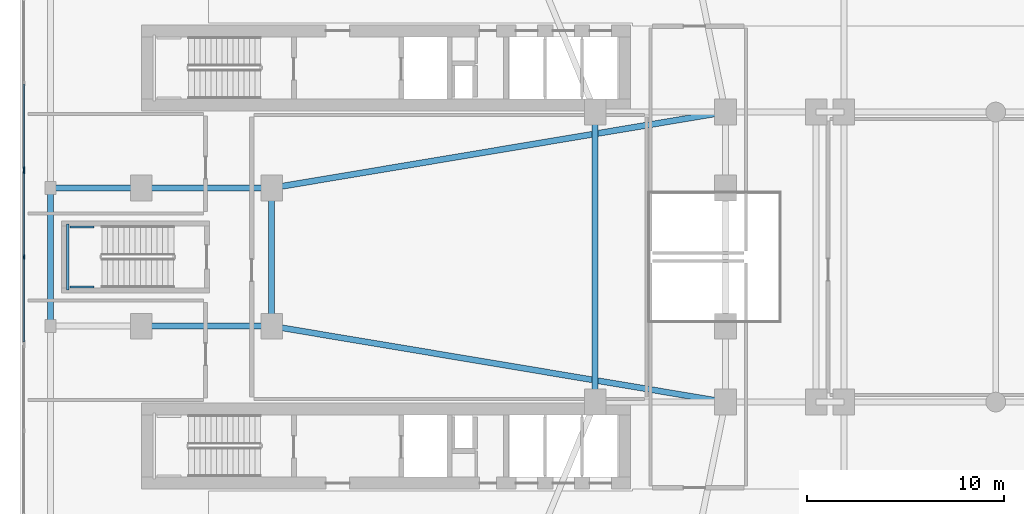
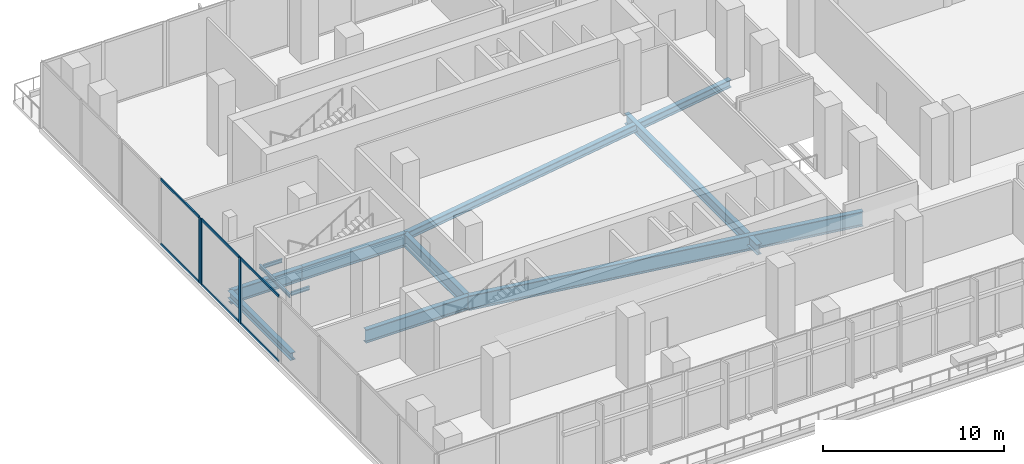
# One storey, part 3 of 30: 11 beams, 9 members, 2 elements without a shape of their own.
"""IFC4 building model written with IfcOpenShell, lengths in metres."""

import ifcopenshell
import ifcopenshell.guid

model = None  # the IFC model being written
_history = None  # IfcOwnerHistory: only IFC2X3 demands one
_inside = {}  # id of a spatial element -> (the spatial element, [elements in it])
_under = {}  # id of a project, library or spatial element -> (it, [spatial elements below it])
_declared = {}  # id of a project -> (the project, [libraries it declares])
_typed = {}  # id of a type object -> (the type object, [elements of that type])
_made_of = {}  # id of a material, layer set ... -> (it, [elements and type objects made of it])


def new_model(schema):
    """Start an empty IFC model of exactly this schema.

    Asked for "IFC4X3", IfcOpenShell would pick the latest addendum, in which some entities
    have other attributes; the version numbers below select the first issue.
    IFC2X3 requires an IfcOwnerHistory on every rooted entity: one is made here for all.
    """
    global model, _history
    if schema == "IFC4X3":
        model = ifcopenshell.file(schema_version=(4, 3, 0, 0))
    else:
        model = ifcopenshell.file(schema=schema)
    _inside.clear()
    _under.clear()
    _declared.clear()
    _typed.clear()
    _made_of.clear()
    _history = None
    if model.schema == "IFC2X3":
        org = make("IfcOrganization", Name="unknown")
        user = make(
            "IfcPersonAndOrganization",
            ThePerson=make("IfcPerson", FamilyName="unknown"),
            TheOrganization=org,
        )
        app = make(
            "IfcApplication",
            ApplicationDeveloper=org,
            Version="unknown",
            ApplicationFullName="unknown",
            ApplicationIdentifier="unknown",
        )
        _history = make(
            "IfcOwnerHistory",
            OwningUser=user,
            OwningApplication=app,
            ChangeAction="ADDED",
            CreationDate=0,
        )
    return model


def make(cls, **values):
    """One entity of the class cls with the attributes given. An attribute that is None is left unset."""
    return model.create_entity(
        cls, **{name: value for name, value in values.items() if value is not None}
    )


def rooted(cls, **values):
    """An entity with a GlobalId (a new one), such as an element, a storey or a relation."""
    return make(cls, GlobalId=ifcopenshell.guid.new(), OwnerHistory=_history, **values)


def si_unit(unit_type, name, prefix=None):
    """IfcSIUnit, for example si_unit("LENGTHUNIT", "METRE", prefix="MILLI")."""
    return make("IfcSIUnit", UnitType=unit_type, Prefix=prefix, Name=name)


def derived_unit(unit_type, elements):
    """IfcDerivedUnit: a product of units, each with its exponent."""
    return make(
        "IfcDerivedUnit",
        Elements=[
            make("IfcDerivedUnitElement", Unit=unit, Exponent=power)
            for unit, power in elements
        ],
        UnitType=unit_type,
    )


def assignment(units):
    """IfcUnitAssignment: the units of a project."""
    return None if units is None else make("IfcUnitAssignment", Units=units)


def point(xyz):
    """IfcCartesianPoint."""
    return None if xyz is None else make("IfcCartesianPoint", Coordinates=xyz)


def direction(xyz):
    """IfcDirection."""
    return None if xyz is None else make("IfcDirection", DirectionRatios=xyz)


def frame(location, z_axis=None, x_axis=None):
    """IfcAxis2Placement3D, a coordinate frame: its origin and axes. An axis left out is left unset."""
    return make(
        "IfcAxis2Placement3D",
        Location=point(location),
        Axis=direction(z_axis),
        RefDirection=direction(x_axis),
    )


def frame_2d(location, x_axis=None):
    """IfcAxis2Placement2D, a coordinate frame in the plane: its origin and x axis."""
    return make(
        "IfcAxis2Placement2D", Location=point(location), RefDirection=direction(x_axis)
    )


def origin():
    """The frame at (0, 0, 0) with its axes left unset."""
    return frame((0.0, 0.0, 0.0))


def origin_2d():
    """The frame at (0, 0) in the plane with its x axis left unset."""
    return frame_2d((0.0, 0.0))


def place(relative_to, where):
    """IfcLocalPlacement: puts the frame where relative to a parent placement (None: the world)."""
    return make(
        "IfcLocalPlacement", PlacementRelTo=relative_to, RelativePlacement=where
    )


def context(
    kind, dimensions, precision=None, world=None, true_north=None, identifier=None
):
    """IfcGeometricRepresentationContext, for example the 3D "Model" context."""
    return make(
        "IfcGeometricRepresentationContext",
        ContextIdentifier=identifier,
        ContextType=kind,
        CoordinateSpaceDimension=dimensions,
        Precision=precision,
        WorldCoordinateSystem=world,
        TrueNorth=true_north,
    )


def subcontext(parent, identifier, kind, view, scale=None):
    """IfcGeometricRepresentationSubContext, for example "Body" below "Model"."""
    return make(
        "IfcGeometricRepresentationSubContext",
        ContextIdentifier=identifier,
        ContextType=kind,
        ParentContext=parent,
        TargetScale=scale,
        TargetView=view,
    )


def project(units=None, contexts=None):
    """IfcProject with its units and contexts."""
    return rooted(
        "IfcProject",
        Name="project",
        RepresentationContexts=contexts,
        UnitsInContext=assignment(units),
    )


def spatial(cls, under=None, at=None, **own):
    """A site, building, storey or space (cls), placed at a placement, below another one or the project."""
    s = rooted(cls, ObjectPlacement=at, **own)
    if under is not None:
        _under.setdefault(under.id(), (under, []))[1].append(s)
    return s


def profile(cls, at=None, kind="AREA", **sizes):
    """A parametric profile (cls). Its sizes go by their IFC names, for example OverallWidth=200.0."""
    return make(cls, ProfileType=kind, Position=at, **sizes)


def rectangle(**sizes):
    """IfcRectangleProfileDef."""
    return profile("IfcRectangleProfileDef", **sizes)


def i_section(**sizes):
    """IfcIShapeProfileDef."""
    return profile("IfcIShapeProfileDef", **sizes)


def extrude(swept, where, along, depth):
    """IfcExtrudedAreaSolid: the profile swept, set in the frame where, extruded along a direction by depth."""
    return make(
        "IfcExtrudedAreaSolid",
        SweptArea=swept,
        Position=where,
        ExtrudedDirection=direction(along),
        Depth=depth,
    )


def shape(context_of_items, identifier, shape_type, items):
    """IfcShapeRepresentation: the items that make up one representation, for example the "Body"."""
    return make(
        "IfcShapeRepresentation",
        ContextOfItems=context_of_items,
        RepresentationIdentifier=identifier,
        RepresentationType=shape_type,
        Items=items,
    )


def material(Name=None, Category=None):
    """IfcMaterial."""
    return make("IfcMaterial", Name=Name, Category=Category)


def layer(
    of_material, thickness, ventilated=None, Name=None, Category=None, Priority=None
):
    """IfcMaterialLayer: one layer of a wall or slab, of a material (None: an air gap)."""
    return make(
        "IfcMaterialLayer",
        Material=of_material,
        LayerThickness=thickness,
        IsVentilated=ventilated,
        Name=Name,
        Category=Category,
        Priority=Priority,
    )


def layer_set(layers, Name=None):
    """IfcMaterialLayerSet."""
    return make("IfcMaterialLayerSet", MaterialLayers=layers, LayerSetName=Name)


def material_profile(
    of_material, cross_section, Name=None, Category=None, Priority=None
):
    """IfcMaterialProfile: a cross section and its material."""
    return make(
        "IfcMaterialProfile",
        Name=Name,
        Material=of_material,
        Profile=cross_section,
        Priority=Priority,
        Category=Category,
    )


def profile_set(profiles, Name=None, composite=None):
    """IfcMaterialProfileSet."""
    return make(
        "IfcMaterialProfileSet",
        Name=Name,
        MaterialProfiles=profiles,
        CompositeProfile=composite,
    )


def made_of(thing, what):
    """Note that an element or type object is made of a material, layer set ...; save() writes the relation."""
    if what is not None:
        _made_of.setdefault(what.id(), (what, []))[1].append(thing)
    return thing


def type_object(cls, material=None, **own):
    """A type object (cls), such as IfcWallType, which elements share."""
    return made_of(rooted(cls, **own), material)


def element(
    cls,
    number,
    at=None,
    inside=None,
    cuts=None,
    type_object=None,
    material=None,
    context=None,
    identifier="Body",
    shape_type=None,
    held_by="IfcProductDefinitionShape",
    body=None,
    shapes=None,
    **own,
):
    """One element of the class cls, such as IfcWall. Its Tag is "e" and its number.

    at: its placement. inside: the storey or other place that contains it. cuts: it is an
    opening in that element (IfcRelVoidsElement). A single representation is given by context,
    identifier, shape_type and body (its items); several are given by shapes. held_by: the class
    of the entity that holds the representations. save() writes the other relations.
    """
    e = rooted(cls, Tag="e%d" % number, ObjectPlacement=at, **own)
    if body is not None:
        shapes = [shape(context, identifier, shape_type, body)]
    if shapes is not None:
        e.Representation = make(held_by, Representations=shapes)
    if inside is not None:
        _inside.setdefault(inside.id(), (inside, []))[1].append(e)
    if cuts is not None:
        rooted(
            "IfcRelVoidsElement", RelatingBuildingElement=cuts, RelatedOpeningElement=e
        )
    if type_object is not None:
        _typed.setdefault(type_object.id(), (type_object, []))[1].append(e)
    return made_of(e, material)


def aggregate(whole, parts):
    """IfcRelAggregates: a whole, such as a stair, and the parts it consists of."""
    return rooted("IfcRelAggregates", RelatingObject=whole, RelatedObjects=parts)


def save(model, path):
    """Write the relations noted so far, then the file.

    IfcRelAggregates (storeys below a building ...), IfcRelContainedInSpatialStructure (elements
    in a storey), IfcRelDefinesByType, IfcRelAssociatesMaterial and IfcRelDeclares: one each for
    every whole, place, type object, material and project.
    """
    for whole, parts in _under.values():
        aggregate(whole, parts)
    for where, things in _inside.values():
        rooted(
            "IfcRelContainedInSpatialStructure",
            RelatedElements=things,
            RelatingStructure=where,
        )
    for kind, things in _typed.values():
        rooted("IfcRelDefinesByType", RelatedObjects=things, RelatingType=kind)
    for what, things in _made_of.values():
        rooted("IfcRelAssociatesMaterial", RelatedObjects=things, RelatingMaterial=what)
    for by, libraries in _declared.values():
        rooted("IfcRelDeclares", RelatingContext=by, RelatedDefinitions=libraries)
    model.write(path)


model = new_model("IFC4")

# Units and contexts
model_context = context("Model", 3, precision=1e-05, world=origin(), true_north=direction((0.0, 1.0)))
body_context = subcontext(model_context, "Body", "Model", "MODEL_VIEW")
ifc_project = project(units=[si_unit("LENGTHUNIT", "METRE"), si_unit("AREAUNIT", "SQUARE_METRE"), si_unit("VOLUMEUNIT", "CUBIC_METRE"), si_unit("PLANEANGLEUNIT", "RADIAN"), si_unit("MASSUNIT", "GRAM", prefix="KILO"), derived_unit("THERMALTRANSMITTANCEUNIT", [(si_unit("POWERUNIT", "WATT"), 1), (si_unit("LENGTHUNIT", "METRE"), -2), (si_unit("THERMODYNAMICTEMPERATUREUNIT", "KELVIN"), -1)])], contexts=[model_context])

# Site, building, storey
site_placement = place(None, origin())
site = spatial("IfcSite", under=ifc_project, at=site_placement, CompositionType="ELEMENT")
building_placement = place(site_placement, origin())
building = spatial("IfcBuilding", under=site, at=building_placement, Name="Kivonza Crest Hotel", CompositionType="ELEMENT")
storey_placement = place(building_placement, frame((0.0, 0.0, 10.199951171875)))
storey = spatial("IfcBuildingStorey", under=building, at=storey_placement, Name="L02", CompositionType="ELEMENT", Elevation=10.199951171875)

# Beams
ifc_material_1 = material(Name="Steel S355", Category="steel")
ifc_material_profile_1 = material_profile(ifc_material_1, i_section(OverallWidth=0.300048828125, OverallDepth=1.0, WebThickness=0.01904296875, FlangeThickness=0.035888671875, FilletRadius=0.030029296875, at=origin_2d()), Name="HEB 1000")
ifc_profile_set_1 = profile_set([ifc_material_profile_1], Name="Steel S355")
beam_type_1 = type_object("IfcBeamType", Name="BM-HEB1000", PredefinedType="BEAM", material=ifc_profile_set_1)
beam_1_placement = place(storey_placement, frame((12.800048828125, 21.5, -0.849853515625), z_axis=(0.98627710051, -0.16509839796, 0.0), x_axis=(0.16509839796, 0.98627710051, 0.0)))
element("IfcBeam", 1, at=beam_1_placement, inside=storey, type_object=beam_type_1, Name="L02 ballroom long-span girder BAL1", PredefinedType="BEAM", context=body_context, shape_type="SweptSolid", body=[
    extrude(i_section(OverallWidth=0.300048828125, OverallDepth=1.0, WebThickness=0.01904296875, FlangeThickness=0.035888671875, FilletRadius=0.030029296875, at=origin_2d()), origin(), (0.0, 0.0, 1.0), 23.320068359375),
])
ifc_material_profile_2 = material_profile(ifc_material_1, i_section(OverallWidth=0.300048828125, OverallDepth=0.5, WebThickness=0.014404296875, FlangeThickness=0.028076171875, FilletRadius=0.027099609375, at=origin_2d()), Name="HEB 500")
ifc_profile_set_2 = profile_set([ifc_material_profile_2], Name="Steel S355")
beam_type_2 = type_object("IfcBeamType", Name="BM-HEB500", PredefinedType="BEAM", material=ifc_profile_set_2)
beam_2_placement = place(storey_placement, frame((1.60009765625, 21.5, -0.599853515625), z_axis=(0.0, 1.0, 0.0), x_axis=(-1.0, 0.0, 0.0)))
element("IfcBeam", 2, at=beam_2_placement, inside=storey, type_object=beam_type_2, Name="L02 podium girder Y 37", PredefinedType="BEAM", context=body_context, shape_type="SweptSolid", body=[
    extrude(i_section(OverallWidth=0.300048828125, OverallDepth=0.5, WebThickness=0.014404296875, FlangeThickness=0.028076171875, FilletRadius=0.027099609375, at=origin_2d()), origin(), (0.0, 0.0, 1.0), 7.0),
])
ifc_material_profile_3 = material_profile(ifc_material_1, i_section(OverallWidth=0.300048828125, OverallDepth=0.699951171875, WebThickness=0.01708984375, FlangeThickness=0.031982421875, FilletRadius=0.027099609375, at=origin_2d()), Name="HEB 700")
ifc_profile_set_3 = profile_set([ifc_material_profile_3], Name="Steel S355")
beam_type_3 = type_object("IfcBeamType", Name="BM-HEB700", PredefinedType="BEAM", material=ifc_profile_set_3)
beam_3_placement = place(storey_placement, frame((29.199951171875, 17.64990234375, -0.699951171875), z_axis=(0.0, 1.0, 0.0), x_axis=(-1.0, 0.0, 0.0)))
element("IfcBeam", 3, at=beam_3_placement, inside=storey, type_object=beam_type_3, Name="L02 podium girder Y 46", PredefinedType="BEAM", context=body_context, shape_type="SweptSolid", body=[
    extrude(i_section(OverallWidth=0.300048828125, OverallDepth=0.699951171875, WebThickness=0.01708984375, FlangeThickness=0.031982421875, FilletRadius=0.027099609375, at=origin_2d()), origin(), (0.0, 0.0, 1.0), 14.7001953125),
])
ifc_material_profile_4 = material_profile(ifc_material_1, i_section(OverallWidth=0.300048828125, OverallDepth=0.89990234375, WebThickness=0.0185546875, FlangeThickness=0.034912109375, FilletRadius=0.030029296875, at=origin_2d()), Name="HEB 900")
ifc_profile_set_4 = profile_set([ifc_material_profile_4], Name="Steel S355")
beam_type_4 = type_object("IfcBeamType", Name="BM-HEB900", PredefinedType="BEAM", material=ifc_profile_set_4)
for number, where, z_axis, x_axis, name in (
    (4, (6.199951171875, 21.5, -0.800048828125), (1.0, 0.0, 0.0), (0.0, 1.0, 0.0), "Tower T1 L02 primary girder W1-WL1"),
    (5, (6.199951171875, 28.5, -0.800048828125), (1.0, 0.0, 0.0), (0.0, 1.0, 0.0), "Tower T1 L02 primary girder W2-WL2"),
):
    element("IfcBeam", number, at=place(storey_placement, frame(where, z_axis=z_axis, x_axis=x_axis)), inside=storey, type_object=beam_type_4, Name=name, PredefinedType="BEAM", context=body_context, shape_type="SweptSolid", body=[
        extrude(i_section(OverallWidth=0.300048828125, OverallDepth=0.89990234375, WebThickness=0.0185546875, FlangeThickness=0.034912109375, FilletRadius=0.030029296875, at=origin_2d()), origin(), (0.0, 0.0, 1.0), 6.60009765625),
    ])
beam_4_placement = place(storey_placement, frame((12.800048828125, 21.5, -0.800048828125), z_axis=(0.0, 1.0, 0.0), x_axis=(-1.0, 0.0, 0.0)))
element("IfcBeam", 6, at=beam_4_placement, inside=storey, type_object=beam_type_4, Name="Tower T1 L02 primary girder WL1-WL2", PredefinedType="BEAM", context=body_context, shape_type="SweptSolid", body=[
    extrude(i_section(OverallWidth=0.300048828125, OverallDepth=0.89990234375, WebThickness=0.0185546875, FlangeThickness=0.034912109375, FilletRadius=0.030029296875, at=origin_2d()), origin(), (0.0, 0.0, 1.0), 7.0),
])
beam_5_placement = place(storey_placement, frame((1.60009765625, 28.5, -0.800048828125), z_axis=(1.0, 0.0, 0.0), x_axis=(0.0, 1.0, 0.0)))
element("IfcBeam", 7, at=beam_5_placement, inside=storey, type_object=beam_type_4, Name="Tower T1 L02 outer bay girder ZW2", PredefinedType="BEAM", context=body_context, shape_type="SweptSolid", body=[
    extrude(i_section(OverallWidth=0.300048828125, OverallDepth=0.89990234375, WebThickness=0.0185546875, FlangeThickness=0.034912109375, FilletRadius=0.030029296875, at=origin_2d()), origin(), (0.0, 0.0, 1.0), 4.599853515625),
])
ifc_material_profile_5 = material_profile(ifc_material_1, i_section(OverallWidth=0.305908203125, OverallDepth=0.52392578125, WebThickness=0.02099609375, FlangeThickness=0.0400390625, FilletRadius=0.027099609375, at=origin_2d()), Name="HEM 500")
ifc_profile_set_5 = profile_set([ifc_material_profile_5], Name="Steel S355")
beam_type_5 = type_object("IfcBeamType", Name="BM-HEM500", PredefinedType="BEAM", material=ifc_profile_set_5)
beam_6_placement = place(storey_placement, frame((12.800048828125, 28.5, -0.612060546875), z_axis=(0.98627710051, 0.16509839796, 0.0), x_axis=(-0.16509839796, 0.98627710051, 0.0)))
element("IfcBeam", 8, at=beam_6_placement, inside=storey, type_object=beam_type_5, Name="L02 ballroom long-span girder BAL2", PredefinedType="BEAM", context=body_context, shape_type="SweptSolid", body=[
    extrude(i_section(OverallWidth=0.305908203125, OverallDepth=0.52392578125, WebThickness=0.02099609375, FlangeThickness=0.0400390625, FilletRadius=0.027099609375, at=origin_2d()), origin(), (0.0, 0.0, 1.0), 23.320068359375),
])
ifc_material_profile_6 = material_profile(ifc_material_1, i_section(OverallWidth=0.1201171875, OverallDepth=0.239990234375, WebThickness=0.006103515625, FlangeThickness=0.009765625, FilletRadius=0.014892578125, at=origin_2d()), Name="IPE 240")
ifc_profile_set_6 = profile_set([ifc_material_profile_6], Name="Steel S355")
beam_type_6 = type_object("IfcBeamType", Name="BM-LLDG-240", PredefinedType="BEAM", material=ifc_profile_set_6)
beam_7_placement = place(storey_placement, frame((2.4599609375, 23.320068359375, 2.080078125), z_axis=(0.0, 1.0, 0.0), x_axis=(-1.0, 0.0, 0.0)))
element("IfcBeam", 9, at=beam_7_placement, inside=storey, type_object=beam_type_6, Name="Stair ST-POD-W L02 West landing corbel", PredefinedType="BEAM", context=body_context, shape_type="SweptSolid", body=[
    extrude(i_section(OverallWidth=0.1201171875, OverallDepth=0.239990234375, WebThickness=0.006103515625, FlangeThickness=0.009765625, FilletRadius=0.014892578125, at=origin_2d()), origin(), (0.0, 0.0, 1.0), 3.35986328125),
])
for number, where, z_axis, x_axis, name in (
    (10, (2.590087890625, 23.47998046875, 2.080078125), (1.0, 0.0, 0.0), (0.0, 1.0, 0.0), "Stair ST-POD-W L02 South landing corbel"),
    (11, (2.590087890625, 26.52001953125, 2.080078125), (1.0, 0.0, 0.0), (0.0, 1.0, 0.0), "Stair ST-POD-W L02 North landing corbel"),
):
    element("IfcBeam", number, at=place(storey_placement, frame(where, z_axis=z_axis, x_axis=x_axis)), inside=storey, type_object=beam_type_6, Name=name, PredefinedType="BEAM", context=body_context, shape_type="SweptSolid", body=[
        extrude(i_section(OverallWidth=0.1201171875, OverallDepth=0.239990234375, WebThickness=0.006103515625, FlangeThickness=0.009765625, FilletRadius=0.014892578125, at=origin_2d()), origin(), (0.0, 0.0, 1.0), 1.2099609375),
    ])

# Curtain wall, member
ifc_material_2 = material(Name="Anodised bronze aluminium and low-E double glazing", Category="aluminium")
ifc_layer = layer(ifc_material_2, 0.219970703125)
ifc_layer_set = layer_set([ifc_layer], Name="Anodised bronze aluminium and low-E double glazing")
curtain_wall_type = type_object("IfcCurtainWallType", Name="CW-SYS-1", PredefinedType="NOTDEFINED", material=ifc_layer_set)
curtain_wall_1_placement = place(storey_placement, origin())
curtain_wall_1 = element("IfcCurtainWall", 12, at=curtain_wall_1_placement, inside=storey, type_object=curtain_wall_type, Name="L02 unitised curtain wall CW-POD-L02-31", PredefinedType="NOTDEFINED")
ifc_material_3 = material(Name="Anodised bronze aluminium", Category="aluminium")
ifc_material_profile_7 = material_profile(ifc_material_3, rectangle(XDim=0.074951171875, YDim=0.219970703125, at=origin_2d()), Name="CW-M 75x220")
ifc_profile_set_7 = profile_set([ifc_material_profile_7], Name="Anodised bronze aluminium")
member_type_1 = type_object("IfcMemberType", Name="CW-MUL-75x220", PredefinedType="MULLION", material=ifc_profile_set_7)
member_1_placement = place(storey_placement, frame((0.239990234375, 29.4775390625, 0.0), z_axis=(0.0, 0.0, 1.0), x_axis=(1.0, 0.0, 0.0)))
member_1 = element("IfcMember", 13, at=member_1_placement, type_object=member_type_1, Name="CW-1 mullion 3", PredefinedType="MULLION", context=body_context, shape_type="SweptSolid", body=[
    extrude(rectangle(XDim=0.074951171875, YDim=0.219970703125, at=origin_2d()), origin(), (0.0, 0.0, 1.0), 4.449951171875),
])

# Curtain wall, members
curtain_wall_2_placement = place(storey_placement, origin())
curtain_wall_2 = element("IfcCurtainWall", 14, at=curtain_wall_2_placement, inside=storey, type_object=curtain_wall_type, Name="L02 unitised curtain wall CW-POD-L02-32", PredefinedType="NOTDEFINED")
member_2_placement = place(storey_placement, frame((0.239990234375, 29.322509765625, 0.0), z_axis=(0.0, 0.0, 1.0), x_axis=(1.0, 0.0, 0.0)))
member_2 = element("IfcMember", 15, at=member_2_placement, type_object=member_type_1, Name="CW-1 mullion 1", PredefinedType="MULLION", context=body_context, shape_type="SweptSolid", body=[
    extrude(rectangle(XDim=0.074951171875, YDim=0.219970703125, at=origin_2d()), origin(), (0.0, 0.0, 1.0), 4.449951171875),
])
member_3_placement = place(storey_placement, frame((0.239990234375, 25.0, 0.0), z_axis=(0.0, 0.0, 1.0), x_axis=(1.0, 0.0, 0.0)))
member_3 = element("IfcMember", 16, at=member_3_placement, type_object=member_type_1, Name="CW-1 mullion 2", PredefinedType="MULLION", context=body_context, shape_type="SweptSolid", body=[
    extrude(rectangle(XDim=0.074951171875, YDim=0.219970703125, at=origin_2d()), origin(), (0.0, 0.0, 1.0), 4.449951171875),
])

# Member
ifc_material_profile_8 = material_profile(ifc_material_3, rectangle(XDim=0.074951171875, YDim=0.159912109375, at=origin_2d()), Name="CW-T 75x160")
ifc_profile_set_8 = profile_set([ifc_material_profile_8], Name="Anodised bronze aluminium")
member_type_2 = type_object("IfcMemberType", Name="CW-TRN-75x160", PredefinedType="USERDEFINED", material=ifc_profile_set_8)
member_4_placement = place(storey_placement, frame((0.239990234375, 33.762451171875, 0.03759765625), z_axis=(0.0, -1.0, 0.0), x_axis=(1.0, 0.0, 0.0)))
member_4 = element("IfcMember", 17, at=member_4_placement, type_object=member_type_2, Name="CW-1 transom 2.1", ObjectType="TRANSOM", PredefinedType="USERDEFINED", context=body_context, shape_type="SweptSolid", body=[
    extrude(rectangle(XDim=0.074951171875, YDim=0.159912109375, at=origin_2d()), origin(), (0.0, 0.0, 1.0), 4.24755859375),
])

member_5_placement = place(storey_placement, frame((0.239990234375, 33.762451171875, 4.41259765625), z_axis=(0.0, -1.0, 0.0), x_axis=(1.0, 0.0, 0.0)))
member_5 = element("IfcMember", 18, at=member_5_placement, type_object=member_type_2, Name="CW-1 transom 2.2", ObjectType="TRANSOM", PredefinedType="USERDEFINED", context=body_context, shape_type="SweptSolid", body=[
    extrude(rectangle(XDim=0.074951171875, YDim=0.159912109375, at=origin_2d()), origin(), (0.0, 0.0, 1.0), 4.24755859375),
])

aggregate(curtain_wall_1, [member_1, member_4, member_5])

member_6_placement = place(storey_placement, frame((0.239990234375, 29.284912109375, 0.03759765625), z_axis=(0.0, -1.0, 0.0), x_axis=(1.0, 0.0, 0.0)))
member_6 = element("IfcMember", 19, at=member_6_placement, type_object=member_type_2, Name="CW-1 transom 1.1", ObjectType="TRANSOM", PredefinedType="USERDEFINED", context=body_context, shape_type="SweptSolid", body=[
    extrude(rectangle(XDim=0.074951171875, YDim=0.159912109375, at=origin_2d()), origin(), (0.0, 0.0, 1.0), 4.247314453125),
])

member_7_placement = place(storey_placement, frame((0.239990234375, 29.284912109375, 4.41259765625), z_axis=(0.0, -1.0, 0.0), x_axis=(1.0, 0.0, 0.0)))
member_7 = element("IfcMember", 20, at=member_7_placement, type_object=member_type_2, Name="CW-1 transom 1.2", ObjectType="TRANSOM", PredefinedType="USERDEFINED", context=body_context, shape_type="SweptSolid", body=[
    extrude(rectangle(XDim=0.074951171875, YDim=0.159912109375, at=origin_2d()), origin(), (0.0, 0.0, 1.0), 4.247314453125),
])

member_8_placement = place(storey_placement, frame((0.239990234375, 24.96240234375, 0.03759765625), z_axis=(0.0, -1.0, 0.0), x_axis=(1.0, 0.0, 0.0)))
member_8 = element("IfcMember", 21, at=member_8_placement, type_object=member_type_2, Name="CW-1 transom 2.1", ObjectType="TRANSOM", PredefinedType="USERDEFINED", context=body_context, shape_type="SweptSolid", body=[
    extrude(rectangle(XDim=0.074951171875, YDim=0.159912109375, at=origin_2d()), origin(), (0.0, 0.0, 1.0), 4.247314453125),
])

member_9_placement = place(storey_placement, frame((0.239990234375, 24.96240234375, 4.41259765625), z_axis=(0.0, -1.0, 0.0), x_axis=(1.0, 0.0, 0.0)))
member_9 = element("IfcMember", 22, at=member_9_placement, type_object=member_type_2, Name="CW-1 transom 2.2", ObjectType="TRANSOM", PredefinedType="USERDEFINED", context=body_context, shape_type="SweptSolid", body=[
    extrude(rectangle(XDim=0.074951171875, YDim=0.159912109375, at=origin_2d()), origin(), (0.0, 0.0, 1.0), 4.247314453125),
])

aggregate(curtain_wall_2, [member_2, member_3, member_6, member_7, member_8, member_9])

save(model, "model.ifc")
